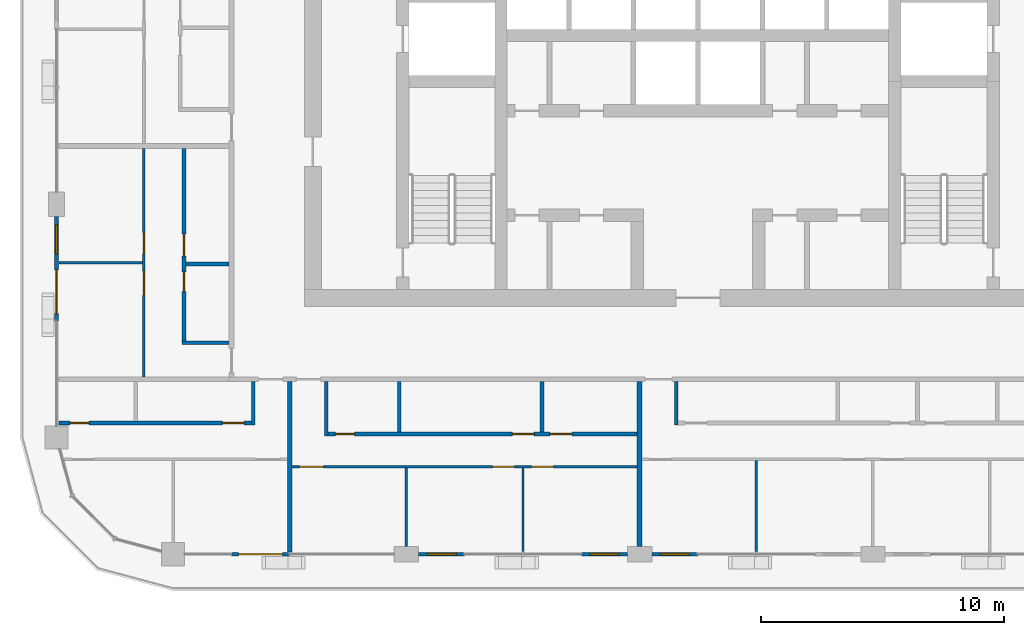
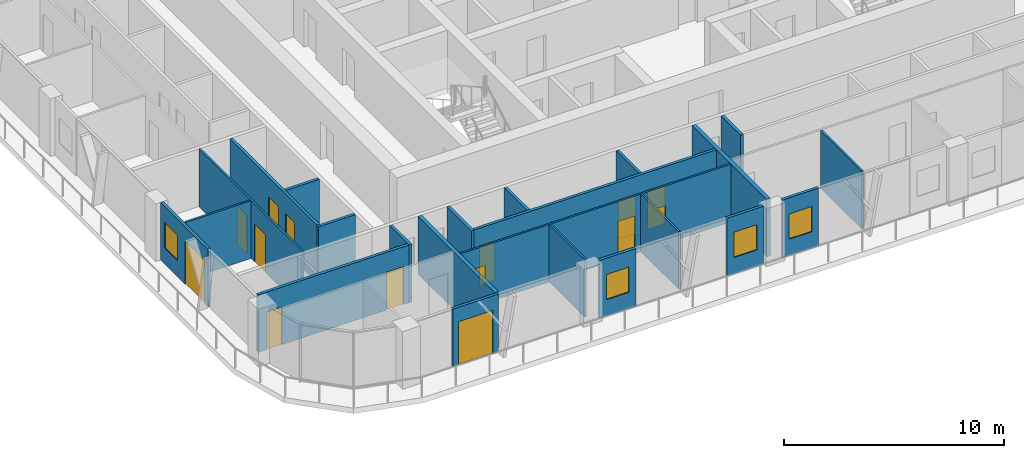
# One storey, part 9 of 23: 23 walls, 14 doors, 4 windows, 18 openings.
"""IFC4 building model written with IfcOpenShell, lengths in metres."""

from ifc_helpers import new_model, si_unit, direction, frame, frame_2d, origin, place, context, subcontext, project, spatial, rectangle, extrude, material, layer, layer_set, type_object, element, fill, save


model = new_model("IFC4")

# Units and contexts
model_context = context("Model", 3, precision=1e-05, world=origin(), true_north=direction((0.0, 1.0)))
body_context = subcontext(model_context, "Body", "Model", "MODEL_VIEW")
ifc_project = project(units=[si_unit("LENGTHUNIT", "METRE"), si_unit("AREAUNIT", "SQUARE_METRE"), si_unit("VOLUMEUNIT", "CUBIC_METRE"), si_unit("PLANEANGLEUNIT", "RADIAN"), si_unit("MASSUNIT", "GRAM", prefix="KILO")], contexts=[model_context])

# Site, building, storey
site_placement = place(None, origin())
site = spatial("IfcSite", under=ifc_project, at=site_placement, CompositionType="ELEMENT")
building_placement = place(site_placement, origin())
building = spatial("IfcBuilding", under=site, at=building_placement, Name="Madar Terraces", CompositionType="ELEMENT")
storey_placement = place(building_placement, frame((0.0, 0.0, 222.800048828125)))
storey = spatial("IfcBuildingStorey", under=building, at=storey_placement, Name="L58", CompositionType="ELEMENT", Elevation=222.800048828125)

# Wall, opening, door
ifc_material_1 = material(Name="Aluminium composite panel, black, over insulated backing", Category="aluminium")
ifc_layer_1 = layer(ifc_material_1, 0.14990234375)
ifc_layer_set_1 = layer_set([ifc_layer_1], Name="Facade bay panel 150")
wall_type_1 = type_object("IfcWallType", Name="Facade bay panel 150", PredefinedType="SOLIDWALL", material=ifc_layer_set_1)
wall_1_placement = place(storey_placement, frame((12.0, 4.800048828125, 0.0), z_axis=(0.0, 0.0, 1.0), x_axis=(1.0, 0.0, 0.0)))
wall_1 = element("IfcWall", 1, at=wall_1_placement, inside=storey, type_object=wall_type_1, Name="Facade bay panel", PredefinedType="SOLIDWALL", context=body_context, shape_type="SweptSolid", body=[
    extrude(rectangle(XDim=2.39990234375, YDim=0.14990234375, at=frame_2d((1.199951171875, 0.0))), origin(), (0.0, 0.0, 1.0), 3.199951171875),
])
opening_1_placement = place(wall_1_placement, frame((0.300048828125, 0.0, 0.0)))
opening_1 = element("IfcOpeningElement", 2, at=opening_1_placement, cuts=wall_1, Name="Opening ED1", PredefinedType="OPENING", context=body_context, shape_type="SweptSolid", body=[
    extrude(rectangle(XDim=1.800048828125, YDim=2.39990234375, at=frame_2d((0.89990234375, 1.199951171875))), frame((0.0, 0.0849609375, 0.0), z_axis=(0.0, -1.0, 0.0), x_axis=(1.0, 0.0, 0.0)), (0.0, 0.0, 1.0), 0.169921875),
])
ifc_material_2 = material(Name="Glass, clear, with black aluminium frame", Category="aluminium")
door_type_1 = type_object("IfcDoorType", Name="Balcony and terrace sliding door 1800 x 2400", OperationType="SLIDING_TO_LEFT", PredefinedType="DOOR", material=ifc_material_2)
door_1_placement = place(opening_1_placement, origin())
door_1 = element("IfcDoor", 3, at=door_1_placement, inside=storey, type_object=door_type_1, Name="Balcony door", OperationType="SLIDING_TO_LEFT", OverallHeight=2.39990234375, OverallWidth=1.800048828125, PredefinedType="DOOR", context=body_context, shape_type="SweptSolid", body=[
    extrude(rectangle(XDim=1.800048828125, YDim=2.39990234375, at=frame_2d((0.89990234375, 1.199951171875))), frame((0.0, 0.02490234375, 0.0), z_axis=(0.0, -1.0, 0.0), x_axis=(1.0, 0.0, 0.0)), (0.0, 0.0, 1.0), 0.050048828125),
])
fill(opening_1, door_1)

# Wall, opening, window
wall_2_placement = place(storey_placement, frame((19.699951171875, 4.800048828125, 0.0), z_axis=(0.0, 0.0, 1.0), x_axis=(1.0, 0.0, 0.0)))
wall_2 = element("IfcWall", 4, at=wall_2_placement, inside=storey, type_object=wall_type_1, Name="Facade bay panel", PredefinedType="SOLIDWALL", context=body_context, shape_type="SweptSolid", body=[
    extrude(rectangle(XDim=1.900146484375, YDim=0.14990234375, at=frame_2d((0.9501953125, 0.0))), origin(), (0.0, 0.0, 1.0), 3.199951171875),
])
opening_2_placement = place(wall_2_placement, frame((0.35009765625, 0.0, 0.89990234375)))
opening_2 = element("IfcOpeningElement", 5, at=opening_2_placement, cuts=wall_2, Name="Opening W1", PredefinedType="OPENING", context=body_context, shape_type="SweptSolid", body=[
    extrude(rectangle(XDim=1.199951171875, YDim=1.39990234375, at=frame_2d((0.60009765625, 0.699951171875))), frame((0.0, 0.0849609375, 0.0), z_axis=(0.0, -1.0, 0.0), x_axis=(1.0, 0.0, 0.0)), (0.0, 0.0, 1.0), 0.169921875),
])
ifc_material_3 = material(Name="Glass, clear, with black aluminium frame", Category="aluminium")
window_type = type_object("IfcWindowType", Name="Vent window 1200 x 1400", PartitioningType="SINGLE_PANEL", PredefinedType="WINDOW", material=ifc_material_3)
window_1_placement = place(opening_2_placement, origin())
window_1 = element("IfcWindow", 6, at=window_1_placement, inside=storey, type_object=window_type, Name="Operable vent window", OverallHeight=1.39990234375, OverallWidth=1.199951171875, PartitioningType="SINGLE_PANEL", PredefinedType="WINDOW", context=body_context, shape_type="SweptSolid", body=[
    extrude(rectangle(XDim=1.199951171875, YDim=1.39990234375, at=frame_2d((0.60009765625, 0.699951171875))), frame((0.0, 0.030029296875, 0.0), z_axis=(0.0, -1.0, 0.0), x_axis=(1.0, 0.0, 0.0)), (0.0, 0.0, 1.0), 0.06005859375),
])
fill(opening_2, window_1)

wall_3_placement = place(storey_placement, frame((26.39990234375, 4.800048828125, 0.0), z_axis=(0.0, 0.0, 1.0), x_axis=(1.0, 0.0, 0.0)))
wall_3 = element("IfcWall", 7, at=wall_3_placement, inside=storey, type_object=wall_type_1, Name="Facade bay panel", PredefinedType="SOLIDWALL", context=body_context, shape_type="SweptSolid", body=[
    extrude(rectangle(XDim=1.900146484375, YDim=0.14990234375, at=frame_2d((0.9501953125, 0.0))), origin(), (0.0, 0.0, 1.0), 3.199951171875),
])
opening_3_placement = place(wall_3_placement, frame((0.35009765625, 0.0, 0.89990234375)))
opening_3 = element("IfcOpeningElement", 8, at=opening_3_placement, cuts=wall_3, Name="Opening W1", PredefinedType="OPENING", context=body_context, shape_type="SweptSolid", body=[
    extrude(rectangle(XDim=1.199951171875, YDim=1.39990234375, at=frame_2d((0.60009765625, 0.699951171875))), frame((0.0, 0.0849609375, 0.0), z_axis=(0.0, -1.0, 0.0), x_axis=(1.0, 0.0, 0.0)), (0.0, 0.0, 1.0), 0.169921875),
])
window_2_placement = place(opening_3_placement, origin())
window_2 = element("IfcWindow", 9, at=window_2_placement, inside=storey, type_object=window_type, Name="Operable vent window", OverallHeight=1.39990234375, OverallWidth=1.199951171875, PartitioningType="SINGLE_PANEL", PredefinedType="WINDOW", context=body_context, shape_type="SweptSolid", body=[
    extrude(rectangle(XDim=1.199951171875, YDim=1.39990234375, at=frame_2d((0.60009765625, 0.699951171875))), frame((0.0, 0.030029296875, 0.0), z_axis=(0.0, -1.0, 0.0), x_axis=(1.0, 0.0, 0.0)), (0.0, 0.0, 1.0), 0.06005859375),
])
fill(opening_3, window_2)

wall_4_placement = place(storey_placement, frame((29.300048828125, 4.800048828125, 0.0), z_axis=(0.0, 0.0, 1.0), x_axis=(1.0, 0.0, 0.0)))
wall_4 = element("IfcWall", 10, at=wall_4_placement, inside=storey, type_object=wall_type_1, Name="Facade bay panel", PredefinedType="SOLIDWALL", context=body_context, shape_type="SweptSolid", body=[
    extrude(rectangle(XDim=1.89990234375, YDim=0.14990234375, at=frame_2d((0.949951171875, 0.0))), origin(), (0.0, 0.0, 1.0), 3.199951171875),
])
opening_4_placement = place(wall_4_placement, frame((0.35009765625, 0.0, 0.89990234375)))
opening_4 = element("IfcOpeningElement", 11, at=opening_4_placement, cuts=wall_4, Name="Opening W1", PredefinedType="OPENING", context=body_context, shape_type="SweptSolid", body=[
    extrude(rectangle(XDim=1.199951171875, YDim=1.39990234375, at=frame_2d((0.60009765625, 0.699951171875))), frame((0.0, 0.0849609375, 0.0), z_axis=(0.0, -1.0, 0.0), x_axis=(1.0, 0.0, 0.0)), (0.0, 0.0, 1.0), 0.169921875),
])
window_3_placement = place(opening_4_placement, origin())
window_3 = element("IfcWindow", 12, at=window_3_placement, inside=storey, type_object=window_type, Name="Operable vent window", OverallHeight=1.39990234375, OverallWidth=1.199951171875, PartitioningType="SINGLE_PANEL", PredefinedType="WINDOW", context=body_context, shape_type="SweptSolid", body=[
    extrude(rectangle(XDim=1.199951171875, YDim=1.39990234375, at=frame_2d((0.60009765625, 0.699951171875))), frame((0.0, 0.030029296875, 0.0), z_axis=(0.0, -1.0, 0.0), x_axis=(1.0, 0.0, 0.0)), (0.0, 0.0, 1.0), 0.06005859375),
])
fill(opening_4, window_3)

# Wall, openings, door, window
wall_5_placement = place(storey_placement, frame((4.800048828125, 18.699951171875, 0.0), z_axis=(0.0, 0.0, 1.0), x_axis=(0.0, -1.0, 0.0)))
wall_5 = element("IfcWall", 13, at=wall_5_placement, inside=storey, type_object=wall_type_1, Name="Facade bay panel", PredefinedType="SOLIDWALL", context=body_context, shape_type="SweptSolid", body=[
    extrude(rectangle(XDim=4.300048828125, YDim=0.14990234375, at=frame_2d((2.14990234375, 0.0))), origin(), (0.0, 0.0, 1.0), 3.199951171875),
])
opening_5_placement = place(wall_5_placement, frame((0.35009765625, 0.0, 0.89990234375)))
opening_5 = element("IfcOpeningElement", 14, at=opening_5_placement, cuts=wall_5, Name="Opening W1", PredefinedType="OPENING", context=body_context, shape_type="SweptSolid", body=[
    extrude(rectangle(XDim=1.199951171875, YDim=1.39990234375, at=frame_2d((0.60009765625, 0.699951171875))), frame((0.0, 0.0849609375, 0.0), z_axis=(0.0, -1.0, 0.0), x_axis=(1.0, 0.0, 0.0)), (0.0, 0.0, 1.0), 0.169921875),
])
opening_6_placement = place(wall_5_placement, frame((2.199951171875, 0.0, 0.0)))
opening_6 = element("IfcOpeningElement", 15, at=opening_6_placement, cuts=wall_5, Name="Opening ED1", PredefinedType="OPENING", context=body_context, shape_type="SweptSolid", body=[
    extrude(rectangle(XDim=1.800048828125, YDim=2.39990234375, at=frame_2d((0.89990234375, 1.199951171875))), frame((0.0, 0.0849609375, 0.0), z_axis=(0.0, -1.0, 0.0), x_axis=(1.0, 0.0, 0.0)), (0.0, 0.0, 1.0), 0.169921875),
])
door_2_placement = place(opening_6_placement, origin())
door_2 = element("IfcDoor", 16, at=door_2_placement, inside=storey, type_object=door_type_1, Name="Balcony door", OperationType="SLIDING_TO_LEFT", OverallHeight=2.39990234375, OverallWidth=1.800048828125, PredefinedType="DOOR", context=body_context, shape_type="SweptSolid", body=[
    extrude(rectangle(XDim=1.800048828125, YDim=2.39990234375, at=frame_2d((0.89990234375, 1.199951171875))), frame((0.0, 0.02490234375, 0.0), z_axis=(0.0, -1.0, 0.0), x_axis=(1.0, 0.0, 0.0)), (0.0, 0.0, 1.0), 0.050048828125),
])
fill(opening_6, door_2)
window_4_placement = place(opening_5_placement, origin())
window_4 = element("IfcWindow", 17, at=window_4_placement, inside=storey, type_object=window_type, Name="Operable vent window", OverallHeight=1.39990234375, OverallWidth=1.199951171875, PartitioningType="SINGLE_PANEL", PredefinedType="WINDOW", context=body_context, shape_type="SweptSolid", body=[
    extrude(rectangle(XDim=1.199951171875, YDim=1.39990234375, at=frame_2d((0.60009765625, 0.699951171875))), frame((0.0, 0.030029296875, 0.0), z_axis=(0.0, -1.0, 0.0), x_axis=(1.0, 0.0, 0.0)), (0.0, 0.0, 1.0), 0.06005859375),
])
fill(opening_5, window_4)

# Walls
ifc_material_4 = material(Name="Gypsum board on steel studs", Category="steel")
ifc_layer_2 = layer(ifc_material_4, 0.10009765625)
ifc_layer_set_2 = layer_set([ifc_layer_2], Name="Flat partition 100")
wall_type_2 = type_object("IfcWallType", Name="Flat partition 100", PredefinedType="PARTITIONING", material=ifc_layer_set_2)
wall_6_placement = place(storey_placement, frame((19.199951171875, 8.35009765625, 0.0), z_axis=(0.0, 0.0, 1.0), x_axis=(0.0, -1.0, 0.0)))
element("IfcWall", 18, at=wall_6_placement, inside=storey, type_object=wall_type_2, Name="Flat partition 100", PredefinedType="PARTITIONING", context=body_context, shape_type="SweptSolid", body=[
    extrude(rectangle(XDim=3.22509765625, YDim=0.10009765625, at=frame_2d((1.612548828125, 0.0))), origin(), (0.0, 0.0, 1.0), 3.199951171875),
])
wall_7_placement = place(storey_placement, frame((24.0, 8.35009765625, 0.0), z_axis=(0.0, 0.0, 1.0), x_axis=(0.0, -1.0, 0.0)))
element("IfcWall", 19, at=wall_7_placement, inside=storey, type_object=wall_type_2, Name="Flat partition 100", PredefinedType="PARTITIONING", context=body_context, shape_type="SweptSolid", body=[
    extrude(rectangle(XDim=3.4501953125, YDim=0.10009765625, at=frame_2d((1.72509765625, 0.0))), origin(), (0.0, 0.0, 1.0), 3.199951171875),
])

# Wall, openings, doors
wall_8_placement = place(storey_placement, frame((28.699951171875, 8.39990234375, 0.0), z_axis=(0.0, 0.0, 1.0), x_axis=(-1.0, 0.0, 0.0)))
wall_8 = element("IfcWall", 20, at=wall_8_placement, inside=storey, type_object=wall_type_2, Name="Flat partition 100", PredefinedType="PARTITIONING", context=body_context, shape_type="SweptSolid", body=[
    extrude(rectangle(XDim=14.199951171875, YDim=0.10009765625, at=frame_2d((7.10009765625, 0.0))), origin(), (0.0, 0.0, 1.0), 3.199951171875),
])
opening_7_placement = place(wall_8_placement, frame((12.89990234375, 0.0, 0.0)))
opening_7 = element("IfcOpeningElement", 21, at=opening_7_placement, cuts=wall_8, Name="Opening D3", PredefinedType="OPENING", context=body_context, shape_type="SweptSolid", body=[
    extrude(rectangle(XDim=1.0, YDim=2.10009765625, at=frame_2d((0.5, 1.050048828125))), frame((0.0, 0.06005859375, 0.0), z_axis=(0.0, -1.0, 0.0), x_axis=(1.0, 0.0, 0.0)), (0.0, 0.0, 1.0), 0.1201171875),
])
opening_8_placement = place(wall_8_placement, frame((5.050048828125, 0.0, 0.0)))
opening_8 = element("IfcOpeningElement", 22, at=opening_8_placement, cuts=wall_8, Name="Opening D2", PredefinedType="OPENING", context=body_context, shape_type="SweptSolid", body=[
    extrude(rectangle(XDim=0.89990234375, YDim=2.10009765625, at=frame_2d((0.449951171875, 1.050048828125))), frame((0.0, 0.06005859375, 0.0), z_axis=(0.0, -1.0, 0.0), x_axis=(1.0, 0.0, 0.0)), (0.0, 0.0, 1.0), 0.1201171875),
])
opening_9_placement = place(wall_8_placement, frame((3.449951171875, 0.0, 0.0)))
opening_9 = element("IfcOpeningElement", 23, at=opening_9_placement, cuts=wall_8, Name="Opening D2", PredefinedType="OPENING", context=body_context, shape_type="SweptSolid", body=[
    extrude(rectangle(XDim=0.89990234375, YDim=2.10009765625, at=frame_2d((0.449951171875, 1.050048828125))), frame((0.0, 0.06005859375, 0.0), z_axis=(0.0, -1.0, 0.0), x_axis=(1.0, 0.0, 0.0)), (0.0, 0.0, 1.0), 0.1201171875),
])
ifc_material_5 = material(Name="Timber door leaf", Category="wood")
door_type_2 = type_object("IfcDoorType", Name="Flat living room door 1000", OperationType="NOTDEFINED", PredefinedType="DOOR", material=ifc_material_5)
door_3_placement = place(opening_7_placement, origin())
door_3 = element("IfcDoor", 24, at=door_3_placement, inside=storey, type_object=door_type_2, Name="Flat living room door 1000", OperationType="SINGLE_SWING_RIGHT", OverallHeight=2.10009765625, OverallWidth=1.0, PredefinedType="DOOR", context=body_context, shape_type="SweptSolid", body=[
    extrude(rectangle(XDim=1.0, YDim=2.10009765625, at=frame_2d((0.5, 1.050048828125))), frame((0.0, 0.02490234375, 0.0), z_axis=(0.0, -1.0, 0.0), x_axis=(1.0, 0.0, 0.0)), (0.0, 0.0, 1.0), 0.050048828125),
])
fill(opening_7, door_3)
ifc_material_6 = material(Name="Timber door leaf", Category="wood")
door_type_3 = type_object("IfcDoorType", Name="Flat room door 900", OperationType="NOTDEFINED", PredefinedType="DOOR", material=ifc_material_6)
door_4_placement = place(opening_8_placement, origin())
door_4 = element("IfcDoor", 25, at=door_4_placement, inside=storey, type_object=door_type_3, Name="Flat room door 900", OperationType="SINGLE_SWING_LEFT", OverallHeight=2.10009765625, OverallWidth=0.89990234375, PredefinedType="DOOR", context=body_context, shape_type="SweptSolid", body=[
    extrude(rectangle(XDim=0.89990234375, YDim=2.10009765625, at=frame_2d((0.449951171875, 1.050048828125))), frame((0.0, 0.02490234375, 0.0), z_axis=(0.0, -1.0, 0.0), x_axis=(1.0, 0.0, 0.0)), (0.0, 0.0, 1.0), 0.050048828125),
])
fill(opening_8, door_4)
door_5_placement = place(opening_9_placement, origin())
door_5 = element("IfcDoor", 26, at=door_5_placement, inside=storey, type_object=door_type_3, Name="Flat room door 900", OperationType="SINGLE_SWING_RIGHT", OverallHeight=2.10009765625, OverallWidth=0.89990234375, PredefinedType="DOOR", context=body_context, shape_type="SweptSolid", body=[
    extrude(rectangle(XDim=0.89990234375, YDim=2.10009765625, at=frame_2d((0.449951171875, 1.050048828125))), frame((0.0, 0.02490234375, 0.0), z_axis=(0.0, -1.0, 0.0), x_axis=(1.0, 0.0, 0.0)), (0.0, 0.0, 1.0), 0.050048828125),
])
fill(opening_9, door_5)

# Walls
wall_9_placement = place(storey_placement, frame((33.60009765625, 8.64990234375, 0.0), z_axis=(0.0, 0.0, 1.0), x_axis=(0.0, -1.0, 0.0)))
element("IfcWall", 27, at=wall_9_placement, inside=storey, type_object=wall_type_2, Name="Flat partition 100", PredefinedType="PARTITIONING", context=body_context, shape_type="SweptSolid", body=[
    extrude(rectangle(XDim=3.75, YDim=0.10009765625, at=frame_2d((1.875, 0.0))), origin(), (0.0, 0.0, 1.0), 3.199951171875),
])
wall_10_placement = place(storey_placement, frame((8.35009765625, 16.800048828125, 0.0), z_axis=(0.0, 0.0, 1.0), x_axis=(-1.0, 0.0, 0.0)))
element("IfcWall", 28, at=wall_10_placement, inside=storey, type_object=wall_type_2, Name="Flat partition 100", PredefinedType="PARTITIONING", context=body_context, shape_type="SweptSolid", body=[
    extrude(rectangle(XDim=3.4501953125, YDim=0.10009765625, at=frame_2d((1.72509765625, 0.0))), origin(), (0.0, 0.0, 1.0), 3.199951171875),
])

# Wall, openings, doors
wall_11_placement = place(storey_placement, frame((8.39990234375, 12.10009765625, 0.0), z_axis=(0.0, 0.0, 1.0), x_axis=(0.0, 1.0, 0.0)))
wall_11 = element("IfcWall", 29, at=wall_11_placement, inside=storey, type_object=wall_type_2, Name="Flat partition 100", PredefinedType="PARTITIONING", context=body_context, shape_type="SweptSolid", body=[
    extrude(rectangle(XDim=9.39990234375, YDim=0.10009765625, at=frame_2d((4.699951171875, 0.0))), origin(), (0.0, 0.0, 1.0), 3.199951171875),
])
opening_10_placement = place(wall_11_placement, frame((3.35009765625, 0.0, 0.0)))
opening_10 = element("IfcOpeningElement", 30, at=opening_10_placement, cuts=wall_11, Name="Opening D3", PredefinedType="OPENING", context=body_context, shape_type="SweptSolid", body=[
    extrude(rectangle(XDim=1.0, YDim=2.10009765625, at=frame_2d((0.5, 1.050048828125))), frame((0.0, 0.06005859375, 0.0), z_axis=(0.0, -1.0, 0.0), x_axis=(1.0, 0.0, 0.0)), (0.0, 0.0, 1.0), 0.1201171875),
])
opening_11_placement = place(wall_11_placement, frame((5.050048828125, 0.0, 0.0)))
opening_11 = element("IfcOpeningElement", 31, at=opening_11_placement, cuts=wall_11, Name="Opening D2", PredefinedType="OPENING", context=body_context, shape_type="SweptSolid", body=[
    extrude(rectangle(XDim=0.89990234375, YDim=2.10009765625, at=frame_2d((0.449951171875, 1.050048828125))), frame((0.0, 0.06005859375, 0.0), z_axis=(0.0, -1.0, 0.0), x_axis=(1.0, 0.0, 0.0)), (0.0, 0.0, 1.0), 0.1201171875),
])
door_6_placement = place(opening_10_placement, origin())
door_6 = element("IfcDoor", 32, at=door_6_placement, inside=storey, type_object=door_type_2, Name="Flat living room door 1000", OperationType="SINGLE_SWING_RIGHT", OverallHeight=2.10009765625, OverallWidth=1.0, PredefinedType="DOOR", context=body_context, shape_type="SweptSolid", body=[
    extrude(rectangle(XDim=1.0, YDim=2.10009765625, at=frame_2d((0.5, 1.050048828125))), frame((0.0, 0.02490234375, 0.0), z_axis=(0.0, -1.0, 0.0), x_axis=(1.0, 0.0, 0.0)), (0.0, 0.0, 1.0), 0.050048828125),
])
fill(opening_10, door_6)
door_7_placement = place(opening_11_placement, origin())
door_7 = element("IfcDoor", 33, at=door_7_placement, inside=storey, type_object=door_type_3, Name="Flat room door 900", OperationType="SINGLE_SWING_LEFT", OverallHeight=2.10009765625, OverallWidth=0.89990234375, PredefinedType="DOOR", context=body_context, shape_type="SweptSolid", body=[
    extrude(rectangle(XDim=0.89990234375, YDim=2.10009765625, at=frame_2d((0.449951171875, 1.050048828125))), frame((0.0, 0.02490234375, 0.0), z_axis=(0.0, -1.0, 0.0), x_axis=(1.0, 0.0, 0.0)), (0.0, 0.0, 1.0), 0.050048828125),
])
fill(opening_11, door_7)

# Walls
ifc_material_7 = material(Name="Lightweight blockwork", Category="masonry")
ifc_layer_3 = layer(ifc_material_7, 0.199951171875)
ifc_layer_set_3 = layer_set([ifc_layer_3], Name="Flat party and entrance wall 200")
wall_type_3 = type_object("IfcWallType", Name="Flat party and entrance wall 200", PredefinedType="PARTITIONING", material=ifc_layer_set_3)
wall_12_placement = place(storey_placement, frame((14.39990234375, 11.89990234375, 0.0), z_axis=(0.0, 0.0, 1.0), x_axis=(0.0, -1.0, 0.0)))
element("IfcWall", 34, at=wall_12_placement, inside=storey, type_object=wall_type_3, Name="Flat party and entrance wall 200", PredefinedType="PARTITIONING", context=body_context, shape_type="SweptSolid", body=[
    extrude(rectangle(XDim=7.0, YDim=0.199951171875, at=frame_2d((3.5, 0.0))), origin(), (0.0, 0.0, 1.0), 3.199951171875),
])
wall_13_placement = place(storey_placement, frame((28.800048828125, 11.89990234375, 0.0), z_axis=(0.0, 0.0, 1.0), x_axis=(0.0, -1.0, 0.0)))
element("IfcWall", 35, at=wall_13_placement, inside=storey, type_object=wall_type_3, Name="Flat party and entrance wall 200", PredefinedType="PARTITIONING", context=body_context, shape_type="SweptSolid", body=[
    extrude(rectangle(XDim=6.77490234375, YDim=0.199951171875, at=frame_2d((3.387451171875, 0.0))), origin(), (0.0, 0.0, 1.0), 3.199951171875),
])
ifc_material_8 = material(Name="Lightweight blockwork", Category="masonry")
ifc_layer_4 = layer(ifc_material_8, 0.14990234375)
ifc_layer_set_4 = layer_set([ifc_layer_4], Name="Flat wet-room partition 150")
wall_type_4 = type_object("IfcWallType", Name="Flat wet-room partition 150", PredefinedType="PARTITIONING", material=ifc_layer_set_4)
wall_14_placement = place(storey_placement, frame((12.89990234375, 11.89990234375, 0.0), z_axis=(0.0, 0.0, 1.0), x_axis=(0.0, -1.0, 0.0)))
element("IfcWall", 36, at=wall_14_placement, inside=storey, type_object=wall_type_4, Name="Flat wet-room partition 150", PredefinedType="PARTITIONING", context=body_context, shape_type="SweptSolid", body=[
    extrude(rectangle(XDim=1.77490234375, YDim=0.14990234375, at=frame_2d((0.887451171875, 0.0))), origin(), (0.0, 0.0, 1.0), 3.199951171875),
])

# Wall, openings, doors
wall_15_placement = place(storey_placement, frame((4.89990234375, 10.199951171875, 0.0), z_axis=(0.0, 0.0, 1.0), x_axis=(1.0, 0.0, 0.0)))
wall_15 = element("IfcWall", 37, at=wall_15_placement, inside=storey, type_object=wall_type_4, Name="Flat wet-room partition 150", PredefinedType="PARTITIONING", context=body_context, shape_type="SweptSolid", body=[
    extrude(rectangle(XDim=7.925048828125, YDim=0.14990234375, at=frame_2d((3.96240234375, 0.0))), origin(), (0.0, 0.0, 1.0), 3.199951171875),
])
opening_12_placement = place(wall_15_placement, frame((6.72509765625, 0.0, 0.0)))
opening_12 = element("IfcOpeningElement", 38, at=opening_12_placement, cuts=wall_15, Name="Opening D2", PredefinedType="OPENING", context=body_context, shape_type="SweptSolid", body=[
    extrude(rectangle(XDim=0.89990234375, YDim=2.10009765625, at=frame_2d((0.449951171875, 1.050048828125))), frame((0.0, 0.0849609375, 0.0), z_axis=(0.0, -1.0, 0.0), x_axis=(1.0, 0.0, 0.0)), (0.0, 0.0, 1.0), 0.169921875),
])
opening_13_placement = place(wall_15_placement, frame((0.449951171875, 0.0, 0.0)))
opening_13 = element("IfcOpeningElement", 39, at=opening_13_placement, cuts=wall_15, Name="Opening D4", PredefinedType="OPENING", context=body_context, shape_type="SweptSolid", body=[
    extrude(rectangle(XDim=0.800048828125, YDim=2.10009765625, at=frame_2d((0.39990234375, 1.050048828125))), frame((0.0, 0.0849609375, 0.0), z_axis=(0.0, -1.0, 0.0), x_axis=(1.0, 0.0, 0.0)), (0.0, 0.0, 1.0), 0.169921875),
])
ifc_material_9 = material(Name="Timber door leaf", Category="wood")
door_type_4 = type_object("IfcDoorType", Name="Flat bathroom door 800", OperationType="NOTDEFINED", PredefinedType="DOOR", material=ifc_material_9)
door_8_placement = place(opening_13_placement, origin())
door_8 = element("IfcDoor", 40, at=door_8_placement, inside=storey, type_object=door_type_4, Name="Flat bathroom door 800", OperationType="SINGLE_SWING_LEFT", OverallHeight=2.10009765625, OverallWidth=0.800048828125, PredefinedType="DOOR", context=body_context, shape_type="SweptSolid", body=[
    extrude(rectangle(XDim=0.800048828125, YDim=2.10009765625, at=frame_2d((0.39990234375, 1.050048828125))), frame((0.0, 0.02490234375, 0.0), z_axis=(0.0, -1.0, 0.0), x_axis=(1.0, 0.0, 0.0)), (0.0, 0.0, 1.0), 0.050048828125),
])
fill(opening_13, door_8)
door_9_placement = place(opening_12_placement, origin())
door_9 = element("IfcDoor", 41, at=door_9_placement, inside=storey, type_object=door_type_3, Name="Flat room door 900", OperationType="SINGLE_SWING_RIGHT", OverallHeight=2.10009765625, OverallWidth=0.89990234375, PredefinedType="DOOR", context=body_context, shape_type="SweptSolid", body=[
    extrude(rectangle(XDim=0.89990234375, YDim=2.10009765625, at=frame_2d((0.449951171875, 1.050048828125))), frame((0.0, 0.02490234375, 0.0), z_axis=(0.0, -1.0, 0.0), x_axis=(1.0, 0.0, 0.0)), (0.0, 0.0, 1.0), 0.050048828125),
])
fill(opening_12, door_9)

# Walls
for number, where, z_axis, x_axis, name in (
    (42, (18.91162109375, 11.89990234375, 0.0), (0.0, 0.0, 1.0), (0.0, -1.0, 0.0), "Flat wet-room partition 150"),
    (43, (24.78466796875, 11.89990234375, 0.0), (0.0, 0.0, 1.0), (0.0, -1.0, 0.0), "Flat wet-room partition 150"),
):
    element("IfcWall", number, at=place(storey_placement, frame(where, z_axis=z_axis, x_axis=x_axis)), inside=storey, type_object=wall_type_4, Name=name, PredefinedType="PARTITIONING", context=body_context, shape_type="SweptSolid", body=[
        extrude(rectangle(XDim=2.074951171875, YDim=0.14990234375, at=frame_2d((1.03759765625, 0.0))), origin(), (0.0, 0.0, 1.0), 3.199951171875),
    ])
wall_16_placement = place(storey_placement, frame((15.89990234375, 11.89990234375, 0.0), z_axis=(0.0, 0.0, 1.0), x_axis=(0.0, -1.0, 0.0)))
element("IfcWall", 44, at=wall_16_placement, inside=storey, type_object=wall_type_4, Name="Flat wet-room partition 150", PredefinedType="PARTITIONING", context=body_context, shape_type="SweptSolid", body=[
    extrude(rectangle(XDim=2.224853515625, YDim=0.14990234375, at=frame_2d((1.1123046875, 0.0))), origin(), (0.0, 0.0, 1.0), 3.199951171875),
])

# Wall, openings, doors
wall_17_placement = place(storey_placement, frame((15.97509765625, 9.75, 0.0), z_axis=(0.0, 0.0, 1.0), x_axis=(1.0, 0.0, 0.0)))
wall_17 = element("IfcWall", 45, at=wall_17_placement, inside=storey, type_object=wall_type_4, Name="Flat wet-room partition 150", PredefinedType="PARTITIONING", context=body_context, shape_type="SweptSolid", body=[
    extrude(rectangle(XDim=12.724853515625, YDim=0.14990234375, at=frame_2d((6.3623046875, 0.0))), origin(), (0.0, 0.0, 1.0), 3.199951171875),
])
opening_14_placement = place(wall_17_placement, frame((0.300048828125, 0.0, 0.0)))
opening_14 = element("IfcOpeningElement", 46, at=opening_14_placement, cuts=wall_17, Name="Opening D4", PredefinedType="OPENING", context=body_context, shape_type="SweptSolid", body=[
    extrude(rectangle(XDim=0.800048828125, YDim=2.10009765625, at=frame_2d((0.39990234375, 1.050048828125))), frame((0.0, 0.0849609375, 0.0), z_axis=(0.0, -1.0, 0.0), x_axis=(1.0, 0.0, 0.0)), (0.0, 0.0, 1.0), 0.169921875),
])
opening_15_placement = place(wall_17_placement, frame((7.584716796875, 0.0, 0.0)))
opening_15 = element("IfcOpeningElement", 47, at=opening_15_placement, cuts=wall_17, Name="Opening D2", PredefinedType="OPENING", context=body_context, shape_type="SweptSolid", body=[
    extrude(rectangle(XDim=0.89990234375, YDim=2.10009765625, at=frame_2d((0.449951171875, 1.050048828125))), frame((0.0, 0.0849609375, 0.0), z_axis=(0.0, -1.0, 0.0), x_axis=(1.0, 0.0, 0.0)), (0.0, 0.0, 1.0), 0.169921875),
])
opening_16_placement = place(wall_17_placement, frame((9.134521484375, 0.0, 0.0)))
opening_16 = element("IfcOpeningElement", 48, at=opening_16_placement, cuts=wall_17, Name="Opening D5", PredefinedType="OPENING", context=body_context, shape_type="SweptSolid", body=[
    extrude(rectangle(XDim=0.89990234375, YDim=2.10009765625, at=frame_2d((0.449951171875, 1.050048828125))), frame((0.0, 0.0849609375, 0.0), z_axis=(0.0, -1.0, 0.0), x_axis=(1.0, 0.0, 0.0)), (0.0, 0.0, 1.0), 0.169921875),
])
ifc_material_10 = material(Name="Timber door leaf", Category="wood")
door_type_5 = type_object("IfcDoorType", Name="Flat accessible bathroom door 900", OperationType="NOTDEFINED", PredefinedType="DOOR", material=ifc_material_10)
door_10_placement = place(opening_16_placement, origin())
door_10 = element("IfcDoor", 49, at=door_10_placement, inside=storey, type_object=door_type_5, Name="Flat accessible bathroom door 900", OperationType="SINGLE_SWING_LEFT", OverallHeight=2.10009765625, OverallWidth=0.89990234375, PredefinedType="DOOR", context=body_context, shape_type="SweptSolid", body=[
    extrude(rectangle(XDim=0.89990234375, YDim=2.10009765625, at=frame_2d((0.449951171875, 1.050048828125))), frame((0.0, 0.02490234375, 0.0), z_axis=(0.0, -1.0, 0.0), x_axis=(1.0, 0.0, 0.0)), (0.0, 0.0, 1.0), 0.050048828125),
])
fill(opening_16, door_10)
door_11_placement = place(opening_14_placement, origin())
door_11 = element("IfcDoor", 50, at=door_11_placement, inside=storey, type_object=door_type_4, Name="Flat bathroom door 800", OperationType="SINGLE_SWING_LEFT", OverallHeight=2.10009765625, OverallWidth=0.800048828125, PredefinedType="DOOR", context=body_context, shape_type="SweptSolid", body=[
    extrude(rectangle(XDim=0.800048828125, YDim=2.10009765625, at=frame_2d((0.39990234375, 1.050048828125))), frame((0.0, 0.02490234375, 0.0), z_axis=(0.0, -1.0, 0.0), x_axis=(1.0, 0.0, 0.0)), (0.0, 0.0, 1.0), 0.050048828125),
])
fill(opening_14, door_11)
door_12_placement = place(opening_15_placement, origin())
door_12 = element("IfcDoor", 51, at=door_12_placement, inside=storey, type_object=door_type_3, Name="Flat room door 900", OperationType="SINGLE_SWING_RIGHT", OverallHeight=2.10009765625, OverallWidth=0.89990234375, PredefinedType="DOOR", context=body_context, shape_type="SweptSolid", body=[
    extrude(rectangle(XDim=0.89990234375, YDim=2.10009765625, at=frame_2d((0.449951171875, 1.050048828125))), frame((0.0, 0.02490234375, 0.0), z_axis=(0.0, -1.0, 0.0), x_axis=(1.0, 0.0, 0.0)), (0.0, 0.0, 1.0), 0.050048828125),
])
fill(opening_15, door_12)

# Walls
for number, where, z_axis, x_axis, name in (
    (52, (30.300048828125, 11.89990234375, 0.0), (0.0, 0.0, 1.0), (0.0, -1.0, 0.0), "Flat wet-room partition 150"),
    (53, (11.89990234375, 16.7451171875, 0.0), (0.0, 0.0, 1.0), (-1.0, 0.0, 0.0), "Flat wet-room partition 150"),
):
    element("IfcWall", number, at=place(storey_placement, frame(where, z_axis=z_axis, x_axis=x_axis)), inside=storey, type_object=wall_type_4, Name=name, PredefinedType="PARTITIONING", context=body_context, shape_type="SweptSolid", body=[
        extrude(rectangle(XDim=1.77490234375, YDim=0.14990234375, at=frame_2d((0.887451171875, 0.0))), origin(), (0.0, 0.0, 1.0), 3.199951171875),
    ])
wall_18_placement = place(storey_placement, frame((11.89990234375, 13.5, 0.0), z_axis=(0.0, 0.0, 1.0), x_axis=(-1.0, 0.0, 0.0)))
element("IfcWall", 54, at=wall_18_placement, inside=storey, type_object=wall_type_4, Name="Flat wet-room partition 150", PredefinedType="PARTITIONING", context=body_context, shape_type="SweptSolid", body=[
    extrude(rectangle(XDim=1.9248046875, YDim=0.14990234375, at=frame_2d((0.96240234375, 0.0))), origin(), (0.0, 0.0, 1.0), 3.199951171875),
])

# Wall, openings, doors
wall_19_placement = place(storey_placement, frame((10.050048828125, 21.5, 0.0), z_axis=(0.0, 0.0, 1.0), x_axis=(0.0, -1.0, 0.0)))
wall_19 = element("IfcWall", 55, at=wall_19_placement, inside=storey, type_object=wall_type_4, Name="Flat wet-room partition 150", PredefinedType="PARTITIONING", context=body_context, shape_type="SweptSolid", body=[
    extrude(rectangle(XDim=7.925048828125, YDim=0.14990234375, at=frame_2d((3.96240234375, 0.0))), origin(), (0.0, 0.0, 1.0), 3.199951171875),
])
opening_17_placement = place(wall_19_placement, frame((5.080078125, 0.0, 0.0)))
opening_17 = element("IfcOpeningElement", 56, at=opening_17_placement, cuts=wall_19, Name="Opening D4", PredefinedType="OPENING", context=body_context, shape_type="SweptSolid", body=[
    extrude(rectangle(XDim=0.800048828125, YDim=2.10009765625, at=frame_2d((0.39990234375, 1.050048828125))), frame((0.0, 0.0849609375, 0.0), z_axis=(0.0, -1.0, 0.0), x_axis=(1.0, 0.0, 0.0)), (0.0, 0.0, 1.0), 0.169921875),
])
opening_18_placement = place(wall_19_placement, frame((3.530029296875, 0.0, 0.0)))
opening_18 = element("IfcOpeningElement", 57, at=opening_18_placement, cuts=wall_19, Name="Opening D2", PredefinedType="OPENING", context=body_context, shape_type="SweptSolid", body=[
    extrude(rectangle(XDim=0.89990234375, YDim=2.10009765625, at=frame_2d((0.449951171875, 1.050048828125))), frame((0.0, 0.0849609375, 0.0), z_axis=(0.0, -1.0, 0.0), x_axis=(1.0, 0.0, 0.0)), (0.0, 0.0, 1.0), 0.169921875),
])
door_13_placement = place(opening_17_placement, origin())
door_13 = element("IfcDoor", 58, at=door_13_placement, inside=storey, type_object=door_type_4, Name="Flat bathroom door 800", OperationType="SINGLE_SWING_LEFT", OverallHeight=2.10009765625, OverallWidth=0.800048828125, PredefinedType="DOOR", context=body_context, shape_type="SweptSolid", body=[
    extrude(rectangle(XDim=0.800048828125, YDim=2.10009765625, at=frame_2d((0.39990234375, 1.050048828125))), frame((0.0, 0.02490234375, 0.0), z_axis=(0.0, -1.0, 0.0), x_axis=(1.0, 0.0, 0.0)), (0.0, 0.0, 1.0), 0.050048828125),
])
fill(opening_17, door_13)
door_14_placement = place(opening_18_placement, origin())
door_14 = element("IfcDoor", 59, at=door_14_placement, inside=storey, type_object=door_type_3, Name="Flat room door 900", OperationType="SINGLE_SWING_RIGHT", OverallHeight=2.10009765625, OverallWidth=0.89990234375, PredefinedType="DOOR", context=body_context, shape_type="SweptSolid", body=[
    extrude(rectangle(XDim=0.89990234375, YDim=2.10009765625, at=frame_2d((0.449951171875, 1.050048828125))), frame((0.0, 0.02490234375, 0.0), z_axis=(0.0, -1.0, 0.0), x_axis=(1.0, 0.0, 0.0)), (0.0, 0.0, 1.0), 0.050048828125),
])
fill(opening_18, door_14)

save(model, "model.ifc")
